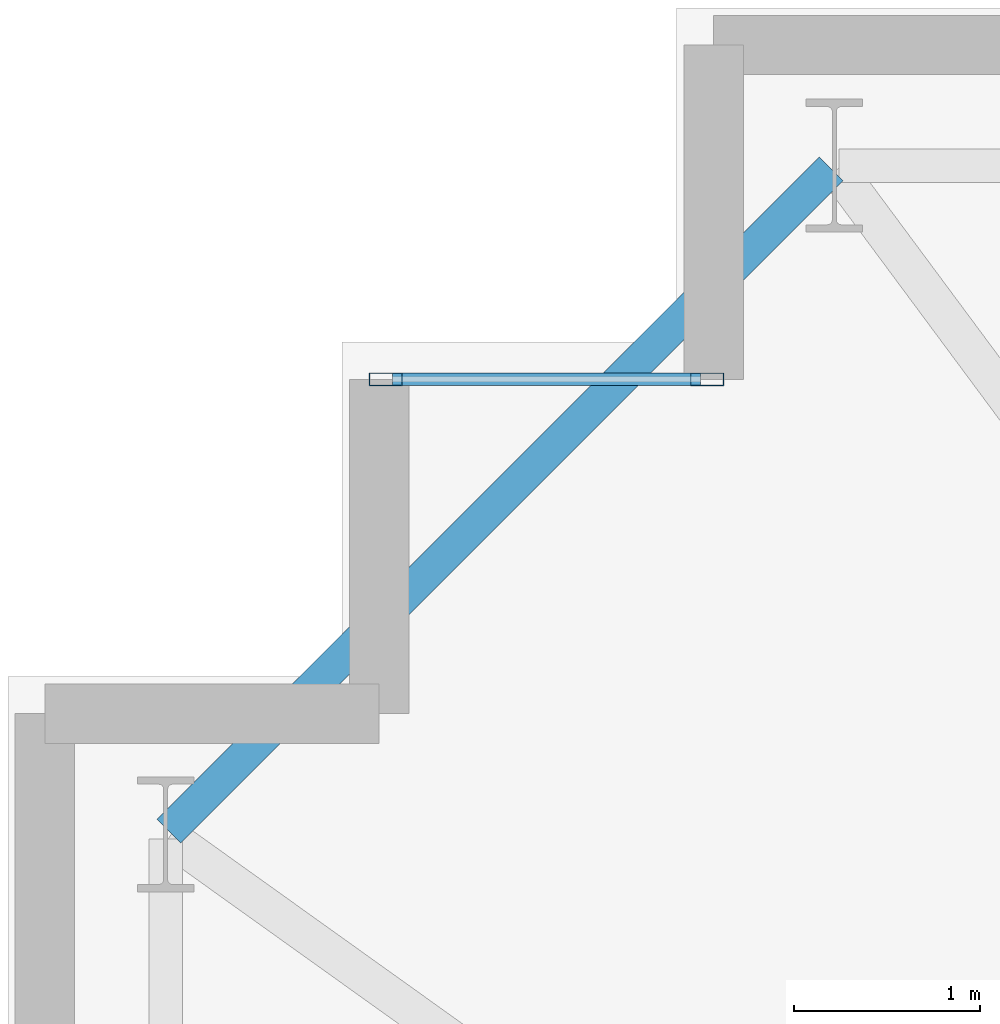
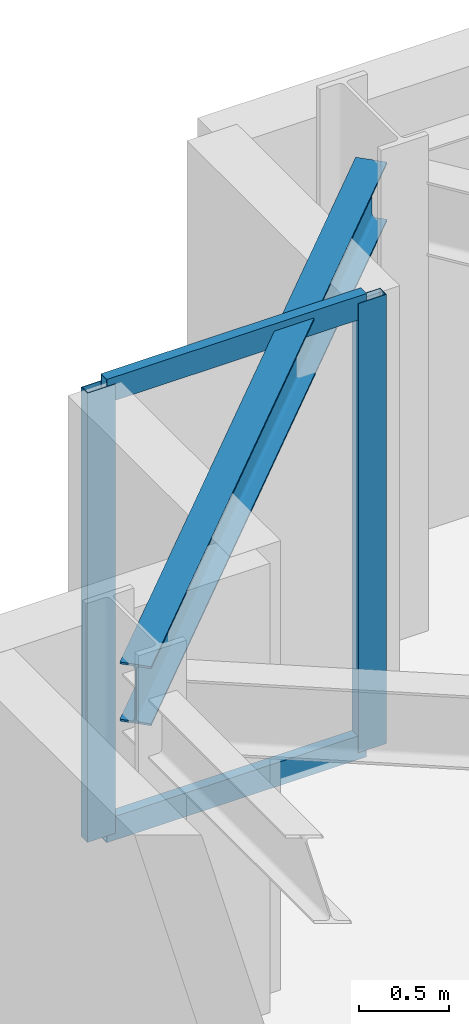
# One storey, part 8 of 21: 4 members, 1 beam, 1 element without a shape of its own.
"""IFC4 building model written with IfcOpenShell, lengths in metres."""

from ifc_helpers import new_model, si_unit, direction, frame, origin, origin_2d, place, context, subcontext, project, spatial, hollow_rectangle, i_section, extrude, material, layer, layer_set, material_profile, profile_set, type_object, element, aggregate, save


model = new_model("IFC4")

# Units and contexts
model_context = context("Model", 3, precision=1e-05, world=origin(), true_north=direction((0.0, 1.0)))
body_context = subcontext(model_context, "Body", "Model", "MODEL_VIEW")
ifc_project = project(units=[si_unit("LENGTHUNIT", "METRE"), si_unit("AREAUNIT", "SQUARE_METRE"), si_unit("VOLUMEUNIT", "CUBIC_METRE"), si_unit("PLANEANGLEUNIT", "RADIAN"), si_unit("MASSUNIT", "GRAM", prefix="KILO")], contexts=[model_context])

# Site, building, storey
site_placement = place(None, origin())
site = spatial("IfcSite", under=ifc_project, at=site_placement, CompositionType="ELEMENT")
building_placement = place(site_placement, origin())
building = spatial("IfcBuilding", under=site, at=building_placement, Name="Qobustan Lattice House", CompositionType="ELEMENT")
storey_placement = place(building_placement, frame((0.0, 0.0, 30.35009765625)))
storey = spatial("IfcBuildingStorey", under=building, at=storey_placement, Name="L07", CompositionType="ELEMENT", Elevation=30.35009765625)

# Beam
ifc_material_1 = material(Name="Steel S355", Category="steel")
ifc_material_profile_1 = material_profile(ifc_material_1, i_section(OverallWidth=0.179931640625, OverallDepth=0.39990234375, WebThickness=0.008544921875, FlangeThickness=0.013427734375, FilletRadius=0.02099609375, at=origin_2d()), Name="IPE400")
ifc_profile_set_1 = profile_set([ifc_material_profile_1], Name="Steel S355")
beam_type = type_object("IfcBeamType", Name="BM-SPD-IPE400", PredefinedType="SPANDREL", material=ifc_profile_set_1)
beam_placement = place(storey_placement, frame((-28.567626953125, 18.732421875, 2.8349609375), z_axis=(-0.707106781187, -0.707106781187, 0.0), x_axis=(0.707106781187, -0.707106781187, 0.0)))
element("IfcBeam", 1, at=beam_placement, inside=storey, type_object=beam_type, Name="L07 perimeter spandrel N7-W1", PredefinedType="SPANDREL", context=body_context, shape_type="SweptSolid", body=[
    extrude(i_section(OverallWidth=0.179931640625, OverallDepth=0.39990234375, WebThickness=0.008544921875, FlangeThickness=0.013427734375, FilletRadius=0.02099609375, at=origin_2d()), origin(), (0.0, 0.0, 1.0), 5.041259765625),
])

# Curtain wall, members
ifc_material_2 = material(Name="Anodised aluminium and low-E glazing", Category="aluminium")
ifc_layer = layer(ifc_material_2, 0.219970703125)
ifc_layer_set = layer_set([ifc_layer], Name="Anodised aluminium and low-E glazing")
curtain_wall_type = type_object("IfcCurtainWallType", Name="CW-FAC-01", PredefinedType="USERDEFINED", material=ifc_layer_set)
curtain_wall_placement = place(storey_placement, origin())
curtain_wall = element("IfcCurtainWall", 2, at=curtain_wall_placement, inside=storey, type_object=curtain_wall_type, Name="L07 serrated corner faceted glazing 8", ObjectType="CURTAIN WALL", PredefinedType="USERDEFINED")
ifc_material_3 = material(Name="Anodised aluminium EN AW-6063 T6", Category="aluminium")
ifc_material_profile_2 = material_profile(ifc_material_3, hollow_rectangle(XDim=0.070068359375, YDim=0.179931640625, WallThickness=0.00439453125, at=origin_2d()), Name="CWM-180x70")
ifc_profile_set_2 = profile_set([ifc_material_profile_2], Name="Anodised aluminium EN AW-6063 T6")
member_type_1 = type_object("IfcMemberType", Name="CWM-STD-180", PredefinedType="MULLION", material=ifc_profile_set_2)
member_1_placement = place(storey_placement, frame((-30.965087890625, 17.60009765625, 0.0), z_axis=(0.0, 0.0, 1.0), x_axis=(0.0, 1.0, 0.0)))
member_1 = element("IfcMember", 3, at=member_1_placement, type_object=member_type_1, Name="CW-F1 mullion 1", PredefinedType="MULLION", context=body_context, shape_type="SweptSolid", body=[
    extrude(hollow_rectangle(XDim=0.070068359375, YDim=0.179931640625, WallThickness=0.00439453125, at=origin_2d()), origin(), (0.0, 0.0, 1.0), 3.034912109375),
])
member_2_placement = place(storey_placement, frame((-29.235107421875, 17.60009765625, 0.0), z_axis=(0.0, 0.0, 1.0), x_axis=(0.0, 1.0, 0.0)))
member_2 = element("IfcMember", 4, at=member_2_placement, type_object=member_type_1, Name="CW-F1 mullion 2", PredefinedType="MULLION", context=body_context, shape_type="SweptSolid", body=[
    extrude(hollow_rectangle(XDim=0.070068359375, YDim=0.179931640625, WallThickness=0.00439453125, at=origin_2d()), origin(), (0.0, 0.0, 1.0), 3.034912109375),
])
ifc_material_4 = material(Name="Anodised aluminium EN AW-6063 T6", Category="aluminium")
ifc_material_profile_3 = material_profile(ifc_material_4, hollow_rectangle(XDim=0.06494140625, YDim=0.159912109375, WallThickness=0.00390625, at=origin_2d()), Name="CWT-160x65")
ifc_profile_set_3 = profile_set([ifc_material_profile_3], Name="Anodised aluminium EN AW-6063 T6")
member_type_2 = type_object("IfcMemberType", Name="CWT-HOR-160", PredefinedType="USERDEFINED", material=ifc_profile_set_3)
member_3_placement = place(storey_placement, frame((-30.929931640625, 17.60009765625, 0.032470703125), z_axis=(1.0, 0.0, 0.0), x_axis=(0.0, 1.0, 0.0)))
member_3 = element("IfcMember", 5, at=member_3_placement, type_object=member_type_2, Name="CW-F1 transom 1.1", ObjectType="TRANSOM", PredefinedType="USERDEFINED", context=body_context, shape_type="SweptSolid", body=[
    extrude(hollow_rectangle(XDim=0.06494140625, YDim=0.159912109375, WallThickness=0.00390625, at=origin_2d()), origin(), (0.0, 0.0, 1.0), 1.659912109375),
])
member_4_placement = place(storey_placement, frame((-30.929931640625, 17.60009765625, 3.00244140625), z_axis=(1.0, 0.0, 0.0), x_axis=(0.0, 1.0, 0.0)))
member_4 = element("IfcMember", 6, at=member_4_placement, type_object=member_type_2, Name="CW-F1 transom 1.2", ObjectType="TRANSOM", PredefinedType="USERDEFINED", context=body_context, shape_type="SweptSolid", body=[
    extrude(hollow_rectangle(XDim=0.06494140625, YDim=0.159912109375, WallThickness=0.00390625, at=origin_2d()), origin(), (0.0, 0.0, 1.0), 1.659912109375),
])
aggregate(curtain_wall, [member_1, member_2, member_3, member_4])

save(model, "model.ifc")
